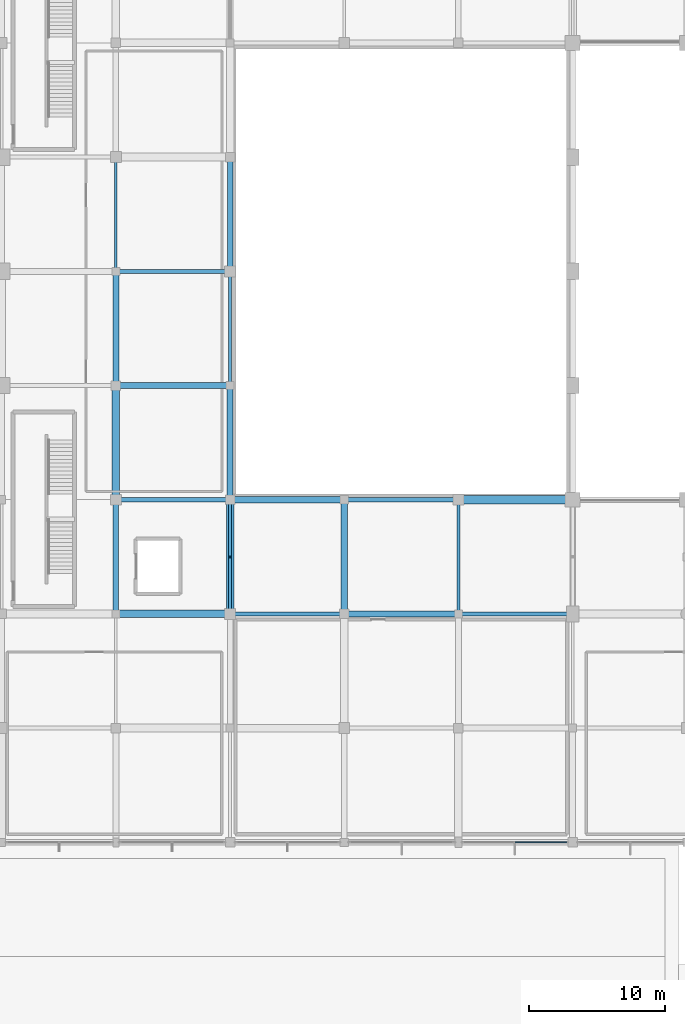
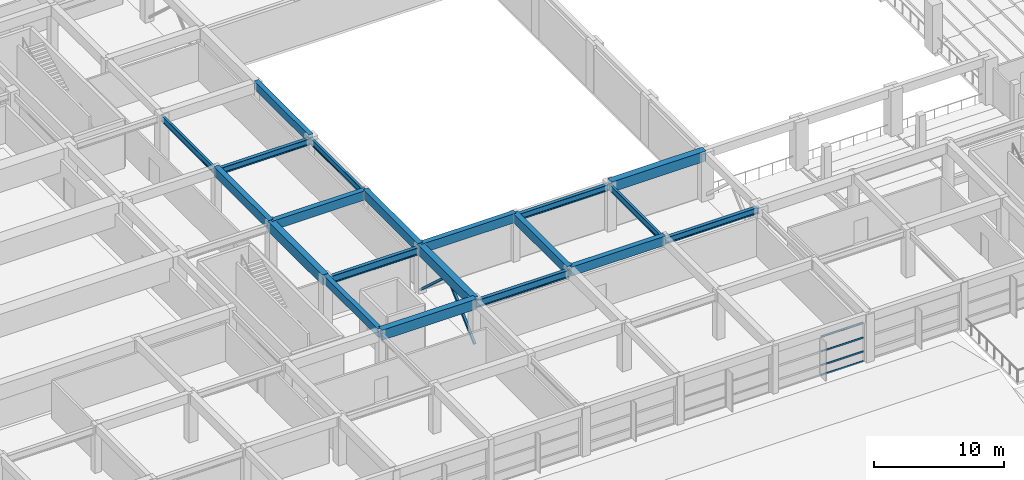
# One storey, part 13 of 60: 20 beams, 6 members, 1 element without a shape of its own.
"""IFC4 building model written with IfcOpenShell, lengths in metres."""

from ifc_helpers import new_model, si_unit, direction, frame, origin, origin_2d, place, context, subcontext, project, spatial, rectangle, hollow_rectangle, i_section, extrude, material, material_profile, profile_set, type_object, element, aggregate, save


model = new_model("IFC4")

# Units and contexts
model_context = context("Model", 3, precision=1e-05, world=origin(), true_north=direction((0.0, 1.0)))
body_context = subcontext(model_context, "Body", "Model", "MODEL_VIEW")
ifc_project = project(units=[si_unit("LENGTHUNIT", "METRE"), si_unit("AREAUNIT", "SQUARE_METRE"), si_unit("VOLUMEUNIT", "CUBIC_METRE"), si_unit("PLANEANGLEUNIT", "RADIAN"), si_unit("MASSUNIT", "GRAM", prefix="KILO")], contexts=[model_context])

# Site, building, storey
site_placement = place(None, origin())
site = spatial("IfcSite", under=ifc_project, at=site_placement, CompositionType="ELEMENT")
building_placement = place(site_placement, origin())
building = spatial("IfcBuilding", under=site, at=building_placement, Name="Xuanlan Plaza Opera House", CompositionType="ELEMENT")
storey_placement = place(building_placement, frame((0.0, 0.0, 9.89990234375)))
storey = spatial("IfcBuildingStorey", under=building, at=storey_placement, Name="L02", CompositionType="ELEMENT", Elevation=9.89990234375)

# Curtain wall, members
ifc_material_1 = material(Name="Anodised Aluminium 6063-T6 and Low-E Glass", Category="aluminium")
curtain_wall_type = type_object("IfcCurtainWallType", Name="ENV-CW-CW-06", PredefinedType="USERDEFINED", material=ifc_material_1)
curtain_wall_placement = place(storey_placement, origin())
curtain_wall = element("IfcCurtainWall", 1, at=curtain_wall_placement, inside=storey, type_object=curtain_wall_type, Name="Acoustic Glazed Wall L02-007", ObjectType="ACOUSTIC GLAZED WALL", PredefinedType="USERDEFINED")
ifc_material_2 = material(Name="Anodised Aluminium 6063-T6", Category="aluminium")
ifc_material_profile_1 = material_profile(ifc_material_2, rectangle(XDim=0.074951171875, YDim=0.14990234375, at=origin_2d()), Name="ALU-T 75x150")
ifc_profile_set_1 = profile_set([ifc_material_profile_1], Name="Anodised Aluminium 6063-T6")
member_type_1 = type_object("IfcMemberType", Name="ENV-CWT-03", PredefinedType="USERDEFINED", material=ifc_profile_set_1)
member_1_placement = place(storey_placement, frame((62.982421875, 16.800048828125, 0.03759765625), z_axis=(1.0, 0.0, 0.0), x_axis=(0.0, 1.0, 0.0)))
member_1 = element("IfcMember", 2, at=member_1_placement, type_object=member_type_1, Name="CW-06 transom 2.1", ObjectType="TRANSOM", PredefinedType="USERDEFINED", context=body_context, shape_type="SweptSolid", body=[
    extrude(rectangle(XDim=0.074951171875, YDim=0.14990234375, at=origin_2d()), origin(), (0.0, 0.0, 1.0), 3.782470703125),
])
member_2_placement = place(storey_placement, frame((62.982421875, 16.800048828125, 0.9501953125), z_axis=(1.0, 0.0, 0.0), x_axis=(0.0, 1.0, 0.0)))
member_2 = element("IfcMember", 3, at=member_2_placement, type_object=member_type_1, Name="CW-06 transom 2.2", ObjectType="TRANSOM", PredefinedType="USERDEFINED", context=body_context, shape_type="SweptSolid", body=[
    extrude(rectangle(XDim=0.074951171875, YDim=0.14990234375, at=origin_2d()), origin(), (0.0, 0.0, 1.0), 3.782470703125),
])
member_3_placement = place(storey_placement, frame((62.982421875, 16.800048828125, 2.25), z_axis=(1.0, 0.0, 0.0), x_axis=(0.0, 1.0, 0.0)))
member_3 = element("IfcMember", 4, at=member_3_placement, type_object=member_type_1, Name="CW-06 transom 2.3", ObjectType="TRANSOM", PredefinedType="USERDEFINED", context=body_context, shape_type="SweptSolid", body=[
    extrude(rectangle(XDim=0.074951171875, YDim=0.14990234375, at=origin_2d()), origin(), (0.0, 0.0, 1.0), 3.782470703125),
])
member_4_placement = place(storey_placement, frame((62.982421875, 16.800048828125, 3.642578125), z_axis=(1.0, 0.0, 0.0), x_axis=(0.0, 1.0, 0.0)))
member_4 = element("IfcMember", 5, at=member_4_placement, type_object=member_type_1, Name="CW-06 transom 2.4", ObjectType="TRANSOM", PredefinedType="USERDEFINED", context=body_context, shape_type="SweptSolid", body=[
    extrude(rectangle(XDim=0.074951171875, YDim=0.14990234375, at=origin_2d()), origin(), (0.0, 0.0, 1.0), 3.782470703125),
])
aggregate(curtain_wall, [member_1, member_2, member_3, member_4])

# Beams
ifc_material_3 = material(Name="Concrete C50", Category="concrete")
ifc_material_profile_2 = material_profile(ifc_material_3, rectangle(XDim=0.60009765625, YDim=0.949951171875, at=origin_2d()), Name="RC-BM 600x950")
ifc_profile_set_2 = profile_set([ifc_material_profile_2], Name="Concrete C50")
beam_type_1 = type_object("IfcBeamType", Name="STR-BM-B-01", PredefinedType="BEAM", material=ifc_profile_set_2)
beam_1_placement = place(storey_placement, frame((58.800048828125, 42.0, 4.025146484375), z_axis=(1.0, 0.0, 0.0), x_axis=(0.0, 1.0, 0.0)))
element("IfcBeam", 6, at=beam_1_placement, inside=storey, type_object=beam_type_1, Name="Grid Beam X L02 8-9/F", PredefinedType="BEAM", context=body_context, shape_type="SweptSolid", body=[
    extrude(rectangle(XDim=0.60009765625, YDim=0.949951171875, at=origin_2d()), origin(), (0.0, 0.0, 1.0), 8.39990234375),
])
ifc_material_profile_3 = material_profile(ifc_material_3, rectangle(XDim=0.550048828125, YDim=0.949951171875, at=origin_2d()), Name="RC-BM 550x950")
ifc_profile_set_3 = profile_set([ifc_material_profile_3], Name="Concrete C50")
beam_type_2 = type_object("IfcBeamType", Name="STR-BM-B-02", PredefinedType="BEAM", material=ifc_profile_set_3)
for number, where, z_axis, x_axis, name in (
    (7, (33.60009765625, 33.60009765625, 4.025146484375), (1.0, 0.0, 0.0), (0.0, 1.0, 0.0), "Grid Beam X L02 5-6/E"),
    (8, (33.60009765625, 42.0, 4.025146484375), (0.0, 1.0, 0.0), (-1.0, 0.0, 0.0), "Grid Beam Y L02 5/F-G"),
    (9, (42.0, 33.60009765625, 4.025146484375), (0.0, 1.0, 0.0), (-1.0, 0.0, 0.0), "Grid Beam Y L02 6/E-F"),
):
    element("IfcBeam", number, at=place(storey_placement, frame(where, z_axis=z_axis, x_axis=x_axis)), inside=storey, type_object=beam_type_2, Name=name, PredefinedType="BEAM", context=body_context, shape_type="SweptSolid", body=[
        extrude(rectangle(XDim=0.550048828125, YDim=0.949951171875, at=origin_2d()), origin(), (0.0, 0.0, 1.0), 8.39990234375),
    ])
ifc_material_4 = material(Name="Concrete C40", Category="concrete")
ifc_material_profile_4 = material_profile(ifc_material_4, rectangle(XDim=0.449951171875, YDim=0.85009765625, at=origin_2d()), Name="RC-BM 450x850")
ifc_profile_set_4 = profile_set([ifc_material_profile_4], Name="Concrete C40")
beam_type_3 = type_object("IfcBeamType", Name="STR-BM-B-04", PredefinedType="BEAM", material=ifc_profile_set_4)
beam_2_placement = place(storey_placement, frame((50.39990234375, 33.60009765625, 4.0751953125), z_axis=(1.0, 0.0, 0.0), x_axis=(0.0, 1.0, 0.0)))
element("IfcBeam", 10, at=beam_2_placement, inside=storey, type_object=beam_type_3, Name="Grid Beam X L02 7-8/E", PredefinedType="BEAM", context=body_context, shape_type="SweptSolid", body=[
    extrude(rectangle(XDim=0.449951171875, YDim=0.85009765625, at=origin_2d()), origin(), (0.0, 0.0, 1.0), 8.400146484375),
])
for number, where, z_axis, x_axis, name in (
    (11, (42.0, 42.0, 4.0751953125), (1.0, 0.0, 0.0), (0.0, 1.0, 0.0), "Grid Beam X L02 6-7/F"),
    (12, (33.60009765625, 50.39990234375, 4.0751953125), (1.0, 0.0, 0.0), (0.0, 1.0, 0.0), "Grid Beam X L02 5-6/G"),
):
    element("IfcBeam", number, at=place(storey_placement, frame(where, z_axis=z_axis, x_axis=x_axis)), inside=storey, type_object=beam_type_3, Name=name, PredefinedType="BEAM", context=body_context, shape_type="SweptSolid", body=[
        extrude(rectangle(XDim=0.449951171875, YDim=0.85009765625, at=origin_2d()), origin(), (0.0, 0.0, 1.0), 8.39990234375),
    ])
beam_3_placement = place(storey_placement, frame((33.60009765625, 50.39990234375, 4.0751953125), z_axis=(0.0, 1.0, 0.0), x_axis=(-1.0, 0.0, 0.0)))
element("IfcBeam", 13, at=beam_3_placement, inside=storey, type_object=beam_type_3, Name="Grid Beam Y L02 5/G-H", PredefinedType="BEAM", context=body_context, shape_type="SweptSolid", body=[
    extrude(rectangle(XDim=0.449951171875, YDim=0.85009765625, at=origin_2d()), origin(), (0.0, 0.0, 1.0), 8.400146484375),
])
for number, where, z_axis, x_axis, name in (
    (14, (42.0, 42.0, 4.0751953125), (0.0, 1.0, 0.0), (-1.0, 0.0, 0.0), "Grid Beam Y L02 6/F-G"),
    (15, (50.39990234375, 33.60009765625, 4.0751953125), (0.0, 1.0, 0.0), (-1.0, 0.0, 0.0), "Grid Beam Y L02 7/E-F"),
):
    element("IfcBeam", number, at=place(storey_placement, frame(where, z_axis=z_axis, x_axis=x_axis)), inside=storey, type_object=beam_type_3, Name=name, PredefinedType="BEAM", context=body_context, shape_type="SweptSolid", body=[
        extrude(rectangle(XDim=0.449951171875, YDim=0.85009765625, at=origin_2d()), origin(), (0.0, 0.0, 1.0), 8.39990234375),
    ])
ifc_material_profile_5 = material_profile(ifc_material_4, rectangle(XDim=0.39990234375, YDim=0.75, at=origin_2d()), Name="RC-BM 400x750")
ifc_profile_set_5 = profile_set([ifc_material_profile_5], Name="Concrete C40")
beam_type_4 = type_object("IfcBeamType", Name="STR-BM-B-06", PredefinedType="BEAM", material=ifc_profile_set_5)
for number, where, z_axis, x_axis, name in (
    (16, (33.60009765625, 33.60009765625, 4.125), (0.0, 1.0, 0.0), (-1.0, 0.0, 0.0), "Grid Beam Y L02 5/E-F"),
    (17, (42.0, 58.800048828125, 4.125), (0.0, 1.0, 0.0), (-1.0, 0.0, 0.0), "Grid Beam Y L02 6/H-I"),
):
    element("IfcBeam", number, at=place(storey_placement, frame(where, z_axis=z_axis, x_axis=x_axis)), inside=storey, type_object=beam_type_4, Name=name, PredefinedType="BEAM", context=body_context, shape_type="SweptSolid", body=[
        extrude(rectangle(XDim=0.39990234375, YDim=0.75, at=origin_2d()), origin(), (0.0, 0.0, 1.0), 8.39990234375),
    ])
ifc_material_5 = material(Name="Steel Q355B", Category="steel")
ifc_material_profile_6 = material_profile(ifc_material_5, i_section(OverallWidth=0.300048828125, OverallDepth=0.699951171875, WebThickness=0.012939453125, FlangeThickness=0.02392578125, FilletRadius=0.02392578125, at=origin_2d()), Name="HN 700x300x13x24")
ifc_profile_set_6 = profile_set([ifc_material_profile_6], Name="Steel Q355B")
beam_type_5 = type_object("IfcBeamType", Name="STR-BM-SB-03", PredefinedType="BEAM", material=ifc_profile_set_6)
for number, where, z_axis, x_axis, name in (
    (18, (42.0, 33.60009765625, 3.885009765625), (1.0, 0.0, 0.0), (0.0, 1.0, 0.0), "Grid Beam X L02 6-7/E"),
    (19, (33.60009765625, 42.0, 3.885009765625), (1.0, 0.0, 0.0), (0.0, 1.0, 0.0), "Grid Beam X L02 5-6/F"),
):
    element("IfcBeam", number, at=place(storey_placement, frame(where, z_axis=z_axis, x_axis=x_axis)), inside=storey, type_object=beam_type_5, Name=name, PredefinedType="BEAM", context=body_context, shape_type="SweptSolid", body=[
        extrude(i_section(OverallWidth=0.300048828125, OverallDepth=0.699951171875, WebThickness=0.012939453125, FlangeThickness=0.02392578125, FilletRadius=0.02392578125, at=origin_2d()), origin(), (0.0, 0.0, 1.0), 8.39990234375),
    ])
ifc_material_profile_7 = material_profile(ifc_material_5, i_section(OverallWidth=0.199951171875, OverallDepth=0.60009765625, WebThickness=0.010986328125, FlangeThickness=0.01708984375, FilletRadius=0.02197265625, at=origin_2d()), Name="HN 600x200x11x17")
ifc_profile_set_7 = profile_set([ifc_material_profile_7], Name="Steel Q355B")
beam_type_6 = type_object("IfcBeamType", Name="STR-BM-SB-04", PredefinedType="BEAM", material=ifc_profile_set_7)
beam_4_placement = place(storey_placement, frame((33.60009765625, 58.800048828125, 3.93505859375), z_axis=(0.0, 1.0, 0.0), x_axis=(-1.0, 0.0, 0.0)))
element("IfcBeam", 20, at=beam_4_placement, inside=storey, type_object=beam_type_6, Name="Grid Beam Y L02 5/H-I", PredefinedType="BEAM", context=body_context, shape_type="SweptSolid", body=[
    extrude(i_section(OverallWidth=0.199951171875, OverallDepth=0.60009765625, WebThickness=0.010986328125, FlangeThickness=0.01708984375, FilletRadius=0.02197265625, at=origin_2d()), origin(), (0.0, 0.0, 1.0), 8.39990234375),
])
beam_5_placement = place(storey_placement, frame((42.0, 50.39990234375, 3.93505859375), z_axis=(0.0, 1.0, 0.0), x_axis=(-1.0, 0.0, 0.0)))
element("IfcBeam", 21, at=beam_5_placement, inside=storey, type_object=beam_type_6, Name="Grid Beam Y L02 6/G-H", PredefinedType="BEAM", context=body_context, shape_type="SweptSolid", body=[
    extrude(i_section(OverallWidth=0.199951171875, OverallDepth=0.60009765625, WebThickness=0.010986328125, FlangeThickness=0.01708984375, FilletRadius=0.02197265625, at=origin_2d()), origin(), (0.0, 0.0, 1.0), 8.400146484375),
])
beam_6_placement = place(storey_placement, frame((58.800048828125, 33.60009765625, 3.93505859375), z_axis=(0.0, 1.0, 0.0), x_axis=(-1.0, 0.0, 0.0)))
element("IfcBeam", 22, at=beam_6_placement, inside=storey, type_object=beam_type_6, Name="Grid Beam Y L02 8/E-F", PredefinedType="BEAM", context=body_context, shape_type="SweptSolid", body=[
    extrude(i_section(OverallWidth=0.199951171875, OverallDepth=0.60009765625, WebThickness=0.010986328125, FlangeThickness=0.01708984375, FilletRadius=0.02197265625, at=origin_2d()), origin(), (0.0, 0.0, 1.0), 8.39990234375),
])
ifc_material_profile_8 = material_profile(ifc_material_5, i_section(OverallWidth=0.300048828125, OverallDepth=0.587890625, WebThickness=0.011962890625, FlangeThickness=0.02001953125, FilletRadius=0.02392578125, at=origin_2d()), Name="HM 588x300x12x20")
ifc_profile_set_8 = profile_set([ifc_material_profile_8], Name="Steel Q355B")
beam_type_7 = type_object("IfcBeamType", Name="STR-BM-SB-06", PredefinedType="BEAM", material=ifc_profile_set_8)
beam_7_placement = place(storey_placement, frame((58.800048828125, 33.60009765625, 3.941162109375), z_axis=(1.0, 0.0, 0.0), x_axis=(0.0, 1.0, 0.0)))
element("IfcBeam", 23, at=beam_7_placement, inside=storey, type_object=beam_type_7, Name="Grid Beam X L02 8-9/E", PredefinedType="BEAM", context=body_context, shape_type="SweptSolid", body=[
    extrude(i_section(OverallWidth=0.300048828125, OverallDepth=0.587890625, WebThickness=0.011962890625, FlangeThickness=0.02001953125, FilletRadius=0.02392578125, at=origin_2d()), origin(), (0.0, 0.0, 1.0), 8.39990234375),
])
beam_8_placement = place(storey_placement, frame((50.39990234375, 42.0, 3.941162109375), z_axis=(1.0, 0.0, 0.0), x_axis=(0.0, 1.0, 0.0)))
element("IfcBeam", 24, at=beam_8_placement, inside=storey, type_object=beam_type_7, Name="Grid Beam X L02 7-8/F", PredefinedType="BEAM", context=body_context, shape_type="SweptSolid", body=[
    extrude(i_section(OverallWidth=0.300048828125, OverallDepth=0.587890625, WebThickness=0.011962890625, FlangeThickness=0.02001953125, FilletRadius=0.02392578125, at=origin_2d()), origin(), (0.0, 0.0, 1.0), 8.400146484375),
])
beam_9_placement = place(storey_placement, frame((33.60009765625, 58.800048828125, 3.941162109375), z_axis=(1.0, 0.0, 0.0), x_axis=(0.0, 1.0, 0.0)))
element("IfcBeam", 25, at=beam_9_placement, inside=storey, type_object=beam_type_7, Name="Grid Beam X L02 5-6/H", PredefinedType="BEAM", context=body_context, shape_type="SweptSolid", body=[
    extrude(i_section(OverallWidth=0.300048828125, OverallDepth=0.587890625, WebThickness=0.011962890625, FlangeThickness=0.02001953125, FilletRadius=0.02392578125, at=origin_2d()), origin(), (0.0, 0.0, 1.0), 8.39990234375),
])

# Members
ifc_material_profile_9 = material_profile(ifc_material_5, hollow_rectangle(XDim=0.199951171875, YDim=0.199951171875, WallThickness=0.010009765625, at=origin_2d()), Name="SHS 200x200x10")
ifc_profile_set_9 = profile_set([ifc_material_profile_9], Name="Steel Q355B")
member_type_2 = type_object("IfcMemberType", Name="STR-MEM-BR-07", PredefinedType="BRACE", material=ifc_profile_set_9)
for number, where, z_axis, x_axis, name in (
    (26, (42.0, 33.60009765625, 0.10009765625), (0.0, 0.737141689437, 0.675738210918), (-1.0, 0.0, 0.0), "Stage Lateral Chevron Brace L02-0A"),
    (27, (42.0, 42.0, 0.10009765625), (0.0, -0.737141689437, 0.675738210918), (1.0, 0.0, 0.0), "Stage Lateral Chevron Brace L02-0B"),
):
    element("IfcMember", number, at=place(storey_placement, frame(where, z_axis=z_axis, x_axis=x_axis)), inside=storey, type_object=member_type_2, Name=name, PredefinedType="BRACE", context=body_context, shape_type="SweptSolid", body=[
        extrude(hollow_rectangle(XDim=0.199951171875, YDim=0.199951171875, WallThickness=0.010009765625, at=origin_2d()), origin(), (0.0, 0.0, 1.0), 5.697509765625),
    ])

save(model, "model.ifc")
